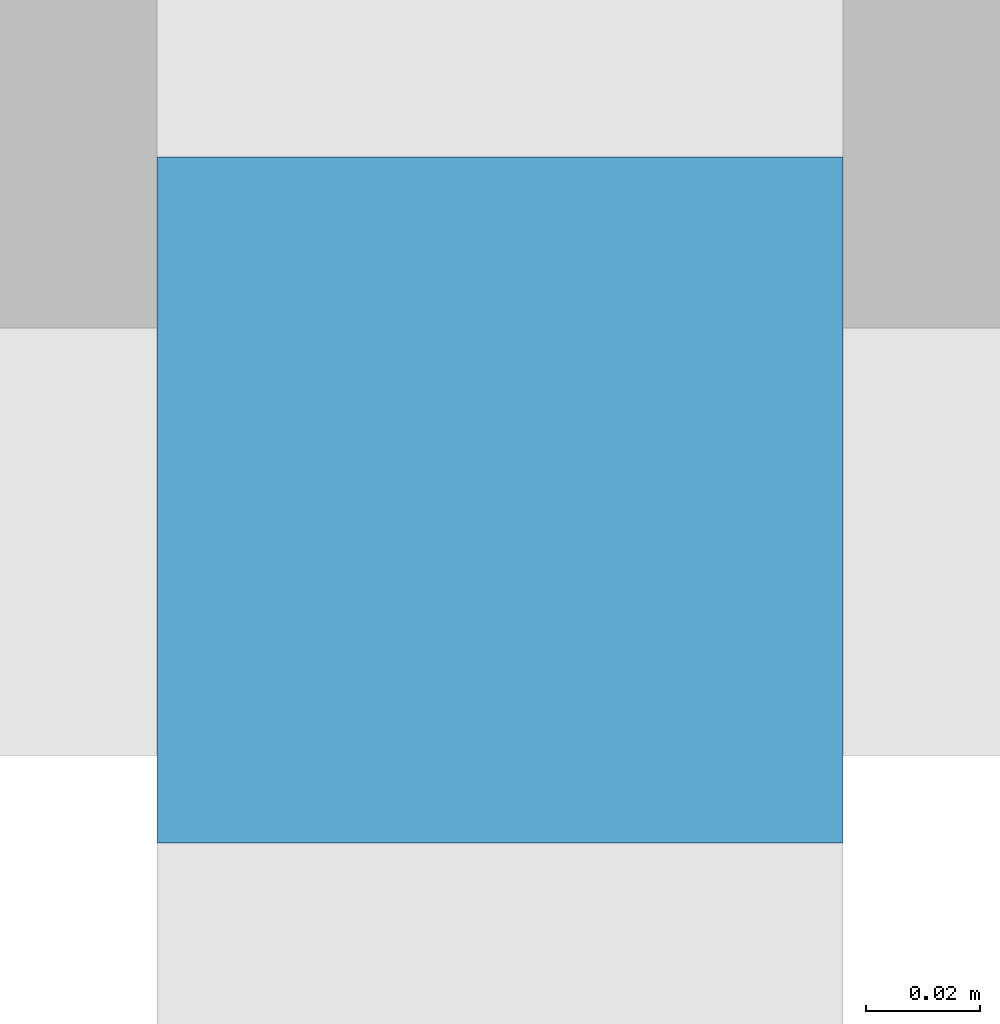
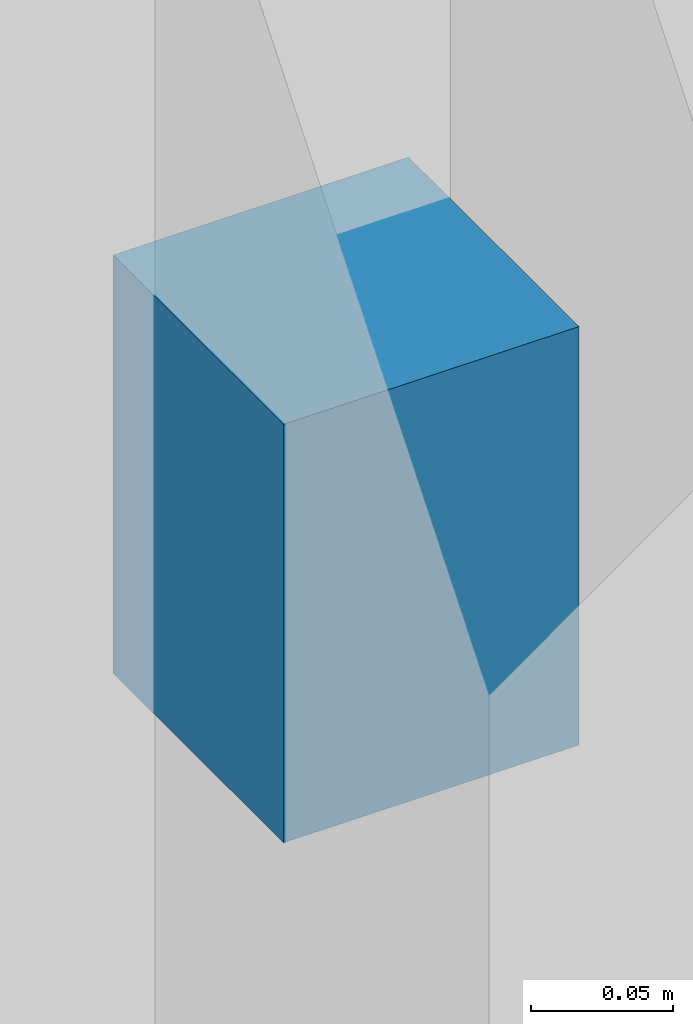
# One storey, part 27 of 35: 1 discrete accessory.
"""IFC4 building model written with IfcOpenShell, lengths in metres."""

from ifc_helpers import new_model, si_unit, direction, frame, origin, origin_2d, place, context, subcontext, project, spatial, rectangle, extrude, material, type_object, element, save


model = new_model("IFC4")

# Units and contexts
model_context = context("Model", 3, precision=1e-05, world=origin(), true_north=direction((0.0, 1.0)))
body_context = subcontext(model_context, "Body", "Model", "MODEL_VIEW")
ifc_project = project(units=[si_unit("LENGTHUNIT", "METRE"), si_unit("AREAUNIT", "SQUARE_METRE"), si_unit("VOLUMEUNIT", "CUBIC_METRE"), si_unit("PLANEANGLEUNIT", "RADIAN"), si_unit("MASSUNIT", "GRAM", prefix="KILO")], contexts=[model_context])

# Site, building, storey
site_placement = place(None, origin())
site = spatial("IfcSite", under=ifc_project, at=site_placement, CompositionType="ELEMENT")
building_placement = place(site_placement, origin())
building = spatial("IfcBuilding", under=site, at=building_placement, Name="Sundgate Opera House", CompositionType="ELEMENT")
storey_placement = place(building_placement, frame((0.0, 0.0, 21.60009765625)))
storey = spatial("IfcBuildingStorey", under=building, at=storey_placement, Name="L04", CompositionType="ELEMENT", Elevation=21.60009765625)

# Discrete accessory
ifc_material = material(Name="Stainless steel EN 1.4404 bracket", Category="steel")
discrete_accessory_type = type_object("IfcDiscreteAccessoryType", Name="AC-BRACKET-SS", PredefinedType="BRACKET", material=ifc_material)
discrete_accessory_placement = place(storey_placement, frame((76.5, 32.764892578125, 1.91015625), z_axis=(0.0, 0.0, 1.0), x_axis=(1.0, 0.0, 0.0)))
element("IfcDiscreteAccessory", 1, at=discrete_accessory_placement, inside=storey, type_object=discrete_accessory_type, Name="L04 Brise-Soleil Anchor Bracket BR0022", PredefinedType="BRACKET", context=body_context, shape_type="SweptSolid", body=[
    extrude(rectangle(XDim=0.1201171875, YDim=0.1201171875, at=origin_2d()), origin(), (0.0, 0.0, 1.0), 0.179931640625),
])

save(model, "model.ifc")
